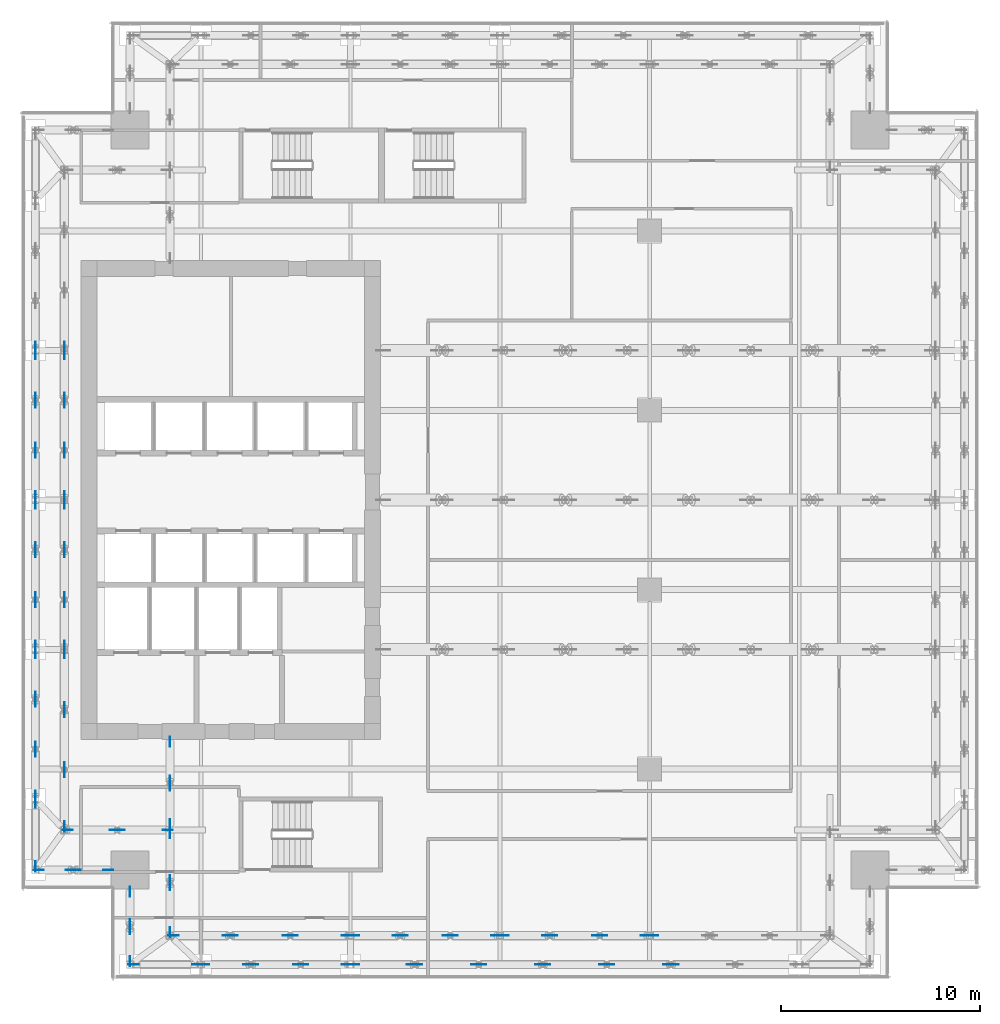
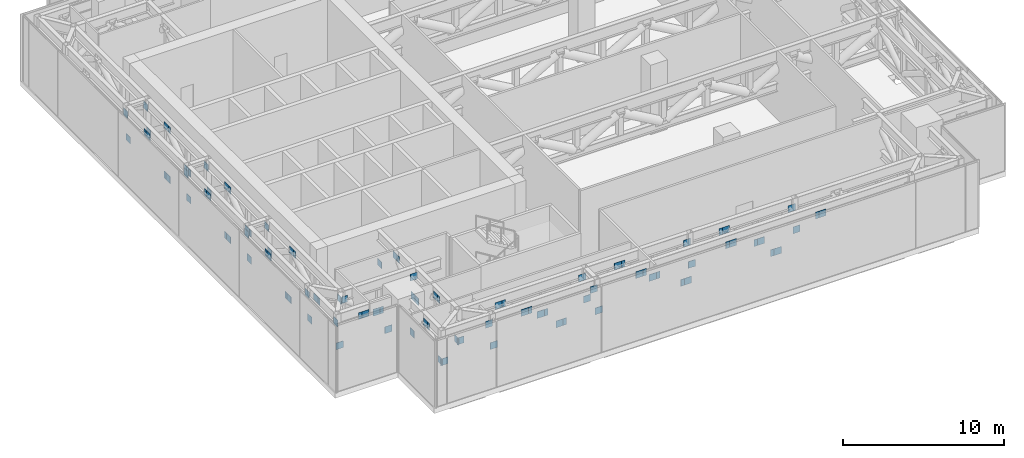
# One storey, part 32 of 36: 98 discrete accessories.
"""IFC4 building model written with IfcOpenShell, lengths in metres."""

from ifc_helpers import new_model, si_unit, direction, frame, origin, origin_2d, place, context, subcontext, project, spatial, rectangle, extrude, source, transform, mapped, material, layer, layer_set, type_object, element, save


model = new_model("IFC4")

# Units and contexts
model_context = context("Model", 3, precision=1e-05, world=origin(), true_north=direction((0.0, 1.0)))
body_context = subcontext(model_context, "Body", "Model", "MODEL_VIEW")
ifc_project = project(units=[si_unit("LENGTHUNIT", "METRE"), si_unit("AREAUNIT", "SQUARE_METRE"), si_unit("VOLUMEUNIT", "CUBIC_METRE"), si_unit("PLANEANGLEUNIT", "RADIAN"), si_unit("MASSUNIT", "GRAM", prefix="KILO")], contexts=[model_context])

# Site, building, storey
site_placement = place(None, origin())
site = spatial("IfcSite", under=ifc_project, at=site_placement, CompositionType="ELEMENT")
building_placement = place(site_placement, origin())
building = spatial("IfcBuilding", under=site, at=building_placement, Name="Khomas Fold Tower", CompositionType="ELEMENT")
storey_placement = place(building_placement, frame((0.0, 0.0, 216.699951171875)))
storey = spatial("IfcBuildingStorey", under=building, at=storey_placement, Name="L48", CompositionType="ELEMENT", Elevation=216.699951171875)

# Discrete accessories
ifc_material = material(Name="Steel S355", Category="steel")
ifc_layer = layer(ifc_material, 0.02490234375)
ifc_layer_set = layer_set([ifc_layer], Name="Steel S355")
discrete_accessory_type = type_object("IfcDiscreteAccessoryType", Name="Gusset plate 25 x 510 GP1", PredefinedType="BRACKET", material=ifc_layer_set)
shared_shape = source(origin(), body_context, "Body", "SweptSolid", [
    extrude(rectangle(XDim=0.510009765625, YDim=0.02490234375, at=origin_2d()), origin(), (0.0, 0.0, 1.0), 0.510009765625),
])
for number, where, z_axis, x_axis, name in (
    (1, (3.699951171875, 8.625, 4.2099609375), (0.0, 0.0, 1.0), (0.0, 1.0, 0.0), "Gusset plate BT3-DL"),
    (2, (3.699951171875, 11.824951171875, 2.47998046875), (0.0, 0.0, 1.0), (0.0, 1.0, 0.0), "Gusset plate BT3-DL"),
    (3, (3.699951171875, 12.175048828125, 4.2099609375), (0.0, 0.0, 1.0), (0.0, 1.0, 0.0), "Gusset plate BT3-D"),
    (4, (3.699951171875, 14.375, 2.47998046875), (0.0, 0.0, 1.0), (0.0, 1.0, 0.0), "Gusset plate BT3-D"),
    (5, (3.699951171875, 14.625, 2.47998046875), (0.0, 0.0, 1.0), (0.0, 1.0, 0.0), "Gusset plate BT3-D"),
    (6, (3.699951171875, 16.875, 4.2099609375), (0.0, 0.0, 1.0), (0.0, 1.0, 0.0), "Gusset plate BT3-D"),
    (7, (3.699951171875, 17.125, 4.2099609375), (0.0, 0.0, 1.0), (0.0, 1.0, 0.0), "Gusset plate BT3-D"),
    (8, (3.699951171875, 19.324951171875, 2.47998046875), (0.0, 0.0, 1.0), (0.0, 1.0, 0.0), "Gusset plate BT3-D"),
    (9, (3.699951171875, 19.675048828125, 4.2099609375), (0.0, 0.0, 1.0), (0.0, 1.0, 0.0), "Gusset plate BT3-D"),
    (10, (3.699951171875, 21.875, 2.47998046875), (0.0, 0.0, 1.0), (0.0, 1.0, 0.0), "Gusset plate BT3-D"),
    (11, (3.699951171875, 22.125, 2.47998046875), (0.0, 0.0, 1.0), (0.0, 1.0, 0.0), "Gusset plate BT3-D"),
    (12, (3.699951171875, 24.375, 4.2099609375), (0.0, 0.0, 1.0), (0.0, 1.0, 0.0), "Gusset plate BT3-D"),
    (13, (3.699951171875, 24.625, 4.2099609375), (0.0, 0.0, 1.0), (0.0, 1.0, 0.0), "Gusset plate BT3-D"),
    (14, (3.699951171875, 26.824951171875, 2.47998046875), (0.0, 0.0, 1.0), (0.0, 1.0, 0.0), "Gusset plate BT3-D"),
    (15, (3.699951171875, 27.175048828125, 4.2099609375), (0.0, 0.0, 1.0), (0.0, 1.0, 0.0), "Gusset plate BT3-D"),
    (16, (3.699951171875, 29.375, 2.47998046875), (0.0, 0.0, 1.0), (0.0, 1.0, 0.0), "Gusset plate BT3-D"),
    (17, (3.699951171875, 29.625, 2.47998046875), (0.0, 0.0, 1.0), (0.0, 1.0, 0.0), "Gusset plate BT3-D"),
    (18, (3.699951171875, 31.875, 4.2099609375), (0.0, 0.0, 1.0), (0.0, 1.0, 0.0), "Gusset plate BT3-D"),
    (19, (3.699951171875, 32.125, 4.2099609375), (0.0, 0.0, 1.0), (0.0, 1.0, 0.0), "Gusset plate BT3-D"),
    (20, (3.699951171875, 34.324951171875, 2.47998046875), (0.0, 0.0, 1.0), (0.0, 1.0, 0.0), "Gusset plate BT3-D"),
    (21, (3.699951171875, 34.675048828125, 4.2099609375), (0.0, 0.0, 1.0), (0.0, 1.0, 0.0), "Gusset plate BT3-D"),
    (22, (3.875, 8.449951171875, 2.47998046875), (0.0, 0.0, 1.0), (1.0, 0.0, 0.0), "Gusset plate BT3-D"),
    (23, (5.14990234375, 10.625, 4.2099609375), (0.0, 0.0, 1.0), (0.0, 1.0, 0.0), "Gusset plate BT3-D"),
    (24, (5.14990234375, 13.341552734375, 2.47998046875), (0.0, 0.0, 1.0), (0.0, 1.0, 0.0), "Gusset plate BT3-D"),
    (25, (5.14990234375, 13.591552734375, 2.47998046875), (0.0, 0.0, 1.0), (0.0, 1.0, 0.0), "Gusset plate BT3-D"),
    (26, (5.14990234375, 16.3583984375, 4.2099609375), (0.0, 0.0, 1.0), (0.0, 1.0, 0.0), "Gusset plate BT3-D"),
    (27, (5.14990234375, 16.6083984375, 4.2099609375), (0.0, 0.0, 1.0), (0.0, 1.0, 0.0), "Gusset plate BT3-D"),
    (28, (5.14990234375, 19.324951171875, 2.47998046875), (0.0, 0.0, 1.0), (0.0, 1.0, 0.0), "Gusset plate BT3-D"),
    (29, (5.14990234375, 19.675048828125, 4.2099609375), (0.0, 0.0, 1.0), (0.0, 1.0, 0.0), "Gusset plate BT3-D"),
    (30, (5.14990234375, 21.875, 2.47998046875), (0.0, 0.0, 1.0), (0.0, 1.0, 0.0), "Gusset plate BT3-D"),
    (31, (5.14990234375, 22.125, 2.47998046875), (0.0, 0.0, 1.0), (0.0, 1.0, 0.0), "Gusset plate BT3-D"),
    (32, (5.14990234375, 24.375, 4.2099609375), (0.0, 0.0, 1.0), (0.0, 1.0, 0.0), "Gusset plate BT3-D"),
    (33, (5.14990234375, 24.625, 4.2099609375), (0.0, 0.0, 1.0), (0.0, 1.0, 0.0), "Gusset plate BT3-D"),
    (34, (5.14990234375, 26.824951171875, 2.47998046875), (0.0, 0.0, 1.0), (0.0, 1.0, 0.0), "Gusset plate BT3-D"),
    (35, (5.14990234375, 27.175048828125, 4.2099609375), (0.0, 0.0, 1.0), (0.0, 1.0, 0.0), "Gusset plate BT3-D"),
    (36, (5.14990234375, 29.375, 2.47998046875), (0.0, 0.0, 1.0), (0.0, 1.0, 0.0), "Gusset plate BT3-D"),
    (37, (5.14990234375, 29.625, 2.47998046875), (0.0, 0.0, 1.0), (0.0, 1.0, 0.0), "Gusset plate BT3-D"),
    (38, (5.14990234375, 31.875, 4.2099609375), (0.0, 0.0, 1.0), (0.0, 1.0, 0.0), "Gusset plate BT3-D"),
    (39, (5.14990234375, 32.125, 4.2099609375), (0.0, 0.0, 1.0), (0.0, 1.0, 0.0), "Gusset plate BT3-D"),
    (40, (5.14990234375, 34.324951171875, 2.47998046875), (0.0, 0.0, 1.0), (0.0, 1.0, 0.0), "Gusset plate BT3-D"),
    (41, (5.14990234375, 34.675048828125, 4.2099609375), (0.0, 0.0, 1.0), (0.0, 1.0, 0.0), "Gusset plate BT3-D"),
    (42, (5.324951171875, 10.449951171875, 4.2099609375), (0.0, 0.0, 1.0), (1.0, 0.0, 0.0), "Gusset plate BT3-D"),
    (43, (5.47509765625, 8.449951171875, 4.2099609375), (0.0, 0.0, 1.0), (1.0, 0.0, 0.0), "Gusset plate BT3-D"),
    (44, (5.72509765625, 8.449951171875, 4.2099609375), (0.0, 0.0, 1.0), (1.0, 0.0, 0.0), "Gusset plate BT3-D"),
    (45, (7.358642578125, 8.449951171875, 2.47998046875), (0.0, 0.0, 1.0), (1.0, 0.0, 0.0), "Gusset plate BT3-D"),
    (46, (7.675048828125, 10.449951171875, 2.47998046875), (0.0, 0.0, 1.0), (1.0, 0.0, 0.0), "Gusset plate BT3-D"),
    (47, (7.925048828125, 10.449951171875, 2.47998046875), (0.0, 0.0, 1.0), (1.0, 0.0, 0.0), "Gusset plate BT3-D"),
    (48, (8.449951171875, 3.875, 2.47998046875), (0.0, 0.0, 1.0), (0.0, 1.0, 0.0), "Gusset plate BT3-D"),
    (49, (8.449951171875, 5.47509765625, 4.2099609375), (0.0, 0.0, 1.0), (0.0, 1.0, 0.0), "Gusset plate BT3-D"),
    (50, (8.449951171875, 5.72509765625, 4.2099609375), (0.0, 0.0, 1.0), (0.0, 1.0, 0.0), "Gusset plate BT3-D"),
    (51, (8.449951171875, 7.358642578125, 2.47998046875), (0.0, 0.0, 1.0), (0.0, 1.0, 0.0), "Gusset plate BT3-D"),
    (52, (8.625, 3.699951171875, 2.47998046875), (0.0, 0.0, 1.0), (1.0, 0.0, 0.0), "Gusset plate BT3-DL"),
    (53, (10.335693359375, 10.449951171875, 4.2099609375), (0.0, 0.0, 1.0), (1.0, 0.0, 0.0), "Gusset plate BT3-D"),
    (54, (10.449951171875, 5.324951171875, 2.47998046875), (0.0, 0.0, 1.0), (0.0, 1.0, 0.0), "Gusset plate BT3-D"),
    (55, (10.449951171875, 7.675048828125, 4.2099609375), (0.0, 0.0, 1.0), (0.0, 1.0, 0.0), "Gusset plate BT3-D"),
    (56, (10.449951171875, 7.925048828125, 4.2099609375), (0.0, 0.0, 1.0), (0.0, 1.0, 0.0), "Gusset plate BT3-D"),
    (57, (10.449951171875, 10.300048828125, 2.47998046875), (0.0, 0.0, 1.0), (0.0, 1.0, 0.0), "Gusset plate BT3-D"),
    (58, (10.449951171875, 10.729736328125, 2.47998046875), (0.0, 0.0, 1.0), (0.0, 1.0, 0.0), "Gusset plate BT3-D"),
    (59, (10.449951171875, 12.675048828125, 4.2099609375), (0.0, 0.0, 1.0), (0.0, 1.0, 0.0), "Gusset plate BT3-D"),
    (60, (10.449951171875, 12.925048828125, 4.2099609375), (0.0, 0.0, 1.0), (0.0, 1.0, 0.0), "Gusset plate BT3-D"),
    (61, (10.449951171875, 14.870361328125, 2.47998046875), (0.0, 0.0, 1.0), (0.0, 1.0, 0.0), "Gusset plate BT3-D"),
    (62, (10.625, 5.14990234375, 2.47998046875), (0.0, 0.0, 1.0), (1.0, 0.0, 0.0), "Gusset plate BT3-D"),
    (63, (11.824951171875, 3.699951171875, 4.2099609375), (0.0, 0.0, 1.0), (1.0, 0.0, 0.0), "Gusset plate BT3-DL"),
    (64, (12.175048828125, 3.699951171875, 2.47998046875), (0.0, 0.0, 1.0), (1.0, 0.0, 0.0), "Gusset plate BT3-D"),
    (65, (13.341552734375, 5.14990234375, 4.2099609375), (0.0, 0.0, 1.0), (1.0, 0.0, 0.0), "Gusset plate BT3-D"),
    (66, (13.591552734375, 5.14990234375, 4.2099609375), (0.0, 0.0, 1.0), (1.0, 0.0, 0.0), "Gusset plate BT3-D"),
    (67, (14.375, 3.699951171875, 4.2099609375), (0.0, 0.0, 1.0), (1.0, 0.0, 0.0), "Gusset plate BT3-D"),
    (68, (14.625, 3.699951171875, 4.2099609375), (0.0, 0.0, 1.0), (1.0, 0.0, 0.0), "Gusset plate BT3-D"),
    (69, (16.3583984375, 5.14990234375, 2.47998046875), (0.0, 0.0, 1.0), (1.0, 0.0, 0.0), "Gusset plate BT3-D"),
    (70, (16.6083984375, 5.14990234375, 2.47998046875), (0.0, 0.0, 1.0), (1.0, 0.0, 0.0), "Gusset plate BT3-D"),
    (71, (16.875, 3.699951171875, 2.47998046875), (0.0, 0.0, 1.0), (1.0, 0.0, 0.0), "Gusset plate BT3-D"),
    (72, (17.125, 3.699951171875, 2.47998046875), (0.0, 0.0, 1.0), (1.0, 0.0, 0.0), "Gusset plate BT3-D"),
    (73, (19.324951171875, 3.699951171875, 4.2099609375), (0.0, 0.0, 1.0), (1.0, 0.0, 0.0), "Gusset plate BT3-D"),
    (74, (19.324951171875, 5.14990234375, 4.2099609375), (0.0, 0.0, 1.0), (1.0, 0.0, 0.0), "Gusset plate BT3-D"),
    (75, (19.675048828125, 3.699951171875, 2.47998046875), (0.0, 0.0, 1.0), (1.0, 0.0, 0.0), "Gusset plate BT3-D"),
    (76, (19.675048828125, 5.14990234375, 2.47998046875), (0.0, 0.0, 1.0), (1.0, 0.0, 0.0), "Gusset plate BT3-D"),
    (77, (21.875, 5.14990234375, 4.2099609375), (0.0, 0.0, 1.0), (1.0, 0.0, 0.0), "Gusset plate BT3-D"),
    (78, (22.125, 5.14990234375, 4.2099609375), (0.0, 0.0, 1.0), (1.0, 0.0, 0.0), "Gusset plate BT3-D"),
    (79, (22.58935546875, 3.699951171875, 4.2099609375), (0.0, 0.0, 1.0), (1.0, 0.0, 0.0), "Gusset plate BT3-D"),
    (80, (22.83935546875, 3.699951171875, 4.2099609375), (0.0, 0.0, 1.0), (1.0, 0.0, 0.0), "Gusset plate BT3-D"),
    (81, (24.375, 5.14990234375, 2.47998046875), (0.0, 0.0, 1.0), (1.0, 0.0, 0.0), "Gusset plate BT3-D"),
    (82, (24.625, 5.14990234375, 2.47998046875), (0.0, 0.0, 1.0), (1.0, 0.0, 0.0), "Gusset plate BT3-D"),
    (83, (25.803466796875, 3.699951171875, 2.47998046875), (0.0, 0.0, 1.0), (1.0, 0.0, 0.0), "Gusset plate BT3-D"),
    (84, (26.053466796875, 3.699951171875, 2.47998046875), (0.0, 0.0, 1.0), (1.0, 0.0, 0.0), "Gusset plate BT3-D"),
    (85, (26.824951171875, 5.14990234375, 4.2099609375), (0.0, 0.0, 1.0), (1.0, 0.0, 0.0), "Gusset plate BT3-D"),
    (86, (27.175048828125, 5.14990234375, 2.47998046875), (0.0, 0.0, 1.0), (1.0, 0.0, 0.0), "Gusset plate BT3-D"),
    (87, (29.017822265625, 3.699951171875, 4.2099609375), (0.0, 0.0, 1.0), (1.0, 0.0, 0.0), "Gusset plate BT3-D"),
    (88, (29.267822265625, 3.699951171875, 4.2099609375), (0.0, 0.0, 1.0), (1.0, 0.0, 0.0), "Gusset plate BT3-D"),
    (89, (29.375, 5.14990234375, 4.2099609375), (0.0, 0.0, 1.0), (1.0, 0.0, 0.0), "Gusset plate BT3-D"),
    (90, (29.625, 5.14990234375, 4.2099609375), (0.0, 0.0, 1.0), (1.0, 0.0, 0.0), "Gusset plate BT3-D"),
    (91, (31.875, 5.14990234375, 2.47998046875), (0.0, 0.0, 1.0), (1.0, 0.0, 0.0), "Gusset plate BT3-D"),
    (92, (32.125, 5.14990234375, 2.47998046875), (0.0, 0.0, 1.0), (1.0, 0.0, 0.0), "Gusset plate BT3-D"),
    (93, (32.232177734375, 3.699951171875, 2.47998046875), (0.0, 0.0, 1.0), (1.0, 0.0, 0.0), "Gusset plate BT3-D"),
    (94, (32.482177734375, 3.699951171875, 2.47998046875), (0.0, 0.0, 1.0), (1.0, 0.0, 0.0), "Gusset plate BT3-D"),
    (95, (34.324951171875, 5.14990234375, 4.2099609375), (0.0, 0.0, 1.0), (1.0, 0.0, 0.0), "Gusset plate BT3-D"),
    (96, (34.675048828125, 5.14990234375, 2.47998046875), (0.0, 0.0, 1.0), (1.0, 0.0, 0.0), "Gusset plate BT3-D"),
    (97, (35.446533203125, 3.699951171875, 4.2099609375), (0.0, 0.0, 1.0), (1.0, 0.0, 0.0), "Gusset plate BT3-D"),
    (98, (35.696533203125, 3.699951171875, 4.2099609375), (0.0, 0.0, 1.0), (1.0, 0.0, 0.0), "Gusset plate BT3-D"),
):
    element("IfcDiscreteAccessory", number, at=place(storey_placement, frame(where, z_axis=z_axis, x_axis=x_axis)), inside=storey, type_object=discrete_accessory_type, Name=name, PredefinedType="BRACKET", context=body_context, shape_type="MappedRepresentation", body=[
        mapped(shared_shape, transform((0.0, 0.0, 0.0))),
    ])

save(model, "model.ifc")
